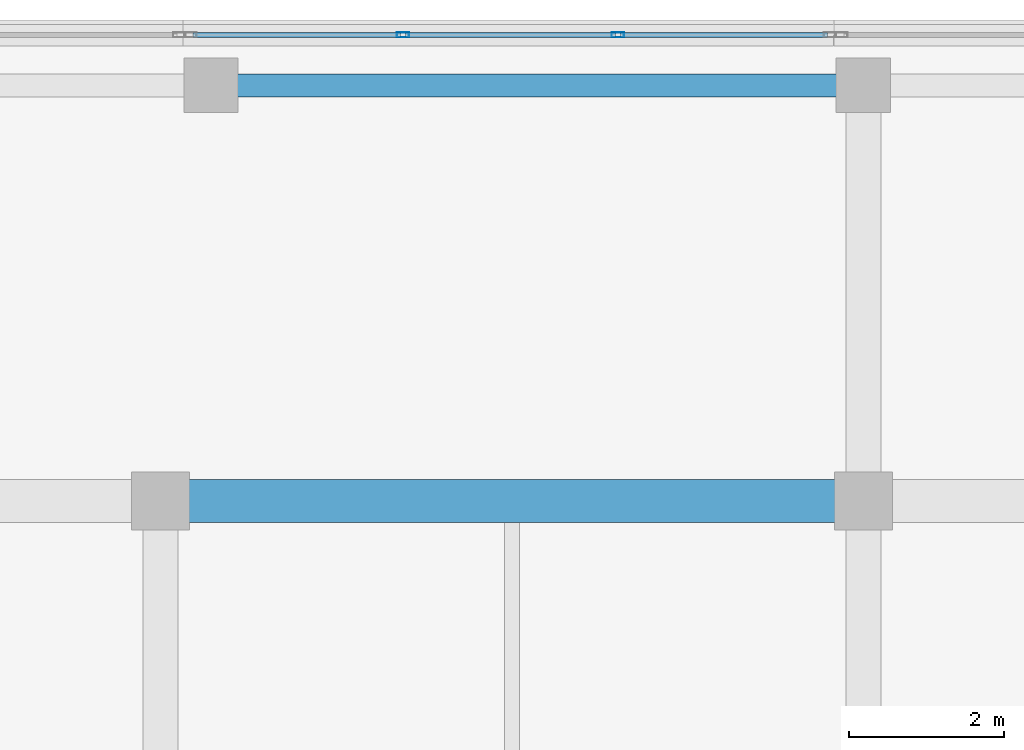
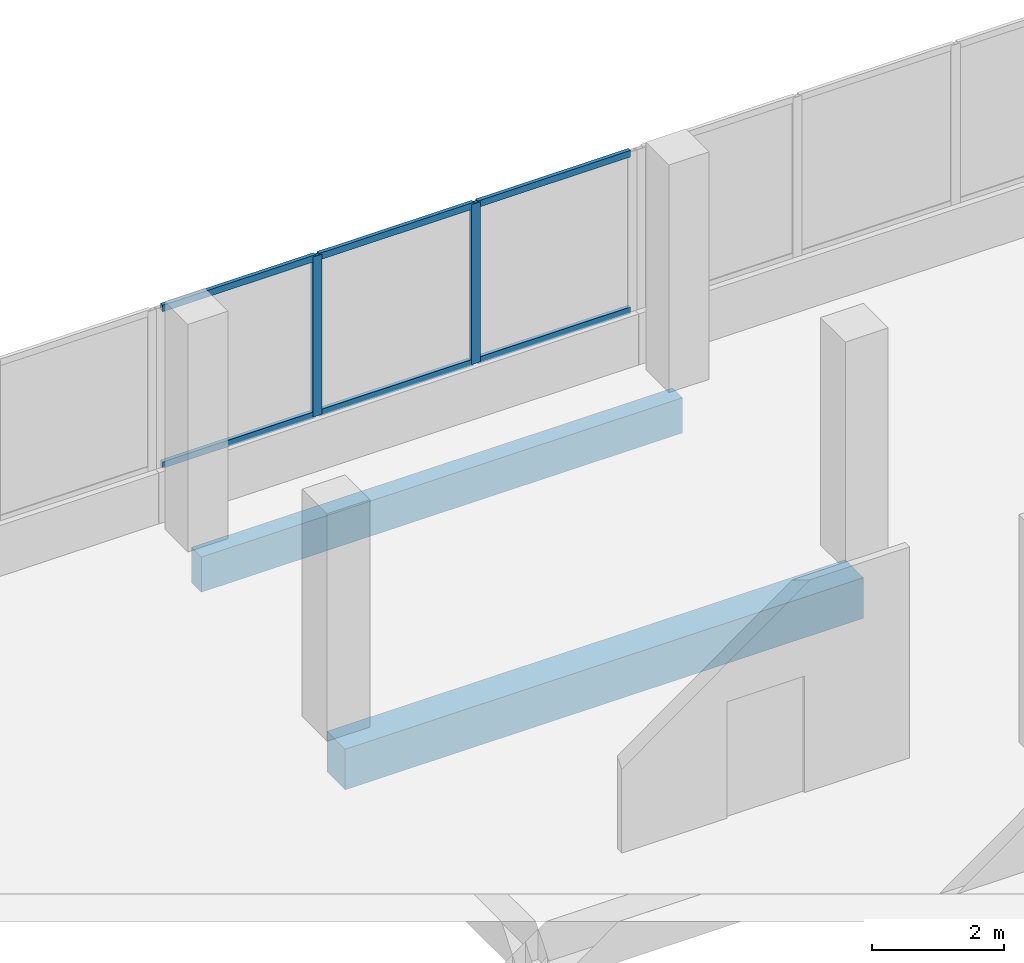
# One storey, part 140 of 184: 8 members, 2 beams, 1 element without a shape of its own.
"""IFC4 building model written with IfcOpenShell, lengths in metres."""

from ifc_helpers import new_model, si_unit, direction, frame, origin, origin_2d, place, context, subcontext, project, spatial, rectangle, hollow_rectangle, extrude, material, material_profile, profile_set, type_object, element, aggregate, save


model = new_model("IFC4")

# Units and contexts
model_context = context("Model", 3, precision=1e-05, world=origin(), true_north=direction((0.0, 1.0)))
body_context = subcontext(model_context, "Body", "Model", "MODEL_VIEW")
ifc_project = project(units=[si_unit("LENGTHUNIT", "METRE"), si_unit("AREAUNIT", "SQUARE_METRE"), si_unit("VOLUMEUNIT", "CUBIC_METRE"), si_unit("PLANEANGLEUNIT", "RADIAN"), si_unit("MASSUNIT", "GRAM", prefix="KILO")], contexts=[model_context])

# Site, building, storey
site_placement = place(None, origin())
site = spatial("IfcSite", under=ifc_project, at=site_placement, CompositionType="ELEMENT")
building_placement = place(site_placement, origin())
building = spatial("IfcBuilding", under=site, at=building_placement, Name="Selatvlak General Hospital", CompositionType="ELEMENT")
storey_placement = place(building_placement, frame((0.0, 0.0, 15.0)))
storey = spatial("IfcBuildingStorey", under=building, at=storey_placement, Name="L03", CompositionType="ELEMENT", Elevation=15.0)

# Beams
ifc_material_1 = material(Name="Concrete C40/50", Category="concrete")
ifc_material_profile_1 = material_profile(ifc_material_1, rectangle(XDim=0.550048828125, YDim=0.75, at=origin_2d()), Name="RC-BM 550x750")
ifc_profile_set_1 = profile_set([ifc_material_profile_1], Name="Concrete C40/50")
beam_type_1 = type_object("IfcBeamType", Name="BM-G02", PredefinedType="BEAM", material=ifc_profile_set_1)
beam_1_placement = place(storey_placement, frame((164.949951171875, 114.0, -0.715087890625), z_axis=(1.0, 0.0, 0.0), x_axis=(0.0, 1.0, 0.0)))
element("IfcBeam", 1, at=beam_1_placement, inside=storey, type_object=beam_type_1, Name="Beam BMR-L03-1273", PredefinedType="BEAM", context=body_context, shape_type="SweptSolid", body=[
    extrude(rectangle(XDim=0.550048828125, YDim=0.75, at=origin_2d()), origin(), (0.0, 0.0, 1.0), 9.050048828125),
])
ifc_material_profile_2 = material_profile(ifc_material_1, rectangle(XDim=0.300048828125, YDim=0.64990234375, at=origin_2d()), Name="RC-SP 300x650")
ifc_profile_set_2 = profile_set([ifc_material_profile_2], Name="Concrete C40/50")
beam_type_2 = type_object("IfcBeamType", Name="BM-SP1", PredefinedType="SPANDREL", material=ifc_profile_set_2)
beam_2_placement = place(storey_placement, frame((165.60009765625, 119.35009765625, -0.6650390625), z_axis=(1.0, 0.0, 0.0), x_axis=(0.0, 1.0, 0.0)))
element("IfcBeam", 2, at=beam_2_placement, inside=storey, type_object=beam_type_2, Name="Beam BMR-L03-1289", PredefinedType="SPANDREL", context=body_context, shape_type="SweptSolid", body=[
    extrude(rectangle(XDim=0.300048828125, YDim=0.64990234375, at=origin_2d()), origin(), (0.0, 0.0, 1.0), 8.39990234375),
])

# Curtain wall, members
ifc_material_2 = material(Name="Solar-control Low-E double glazing", Category="glass")
curtain_wall_type = type_object("IfcCurtainWallType", Name="CW-CW-01", PredefinedType="USERDEFINED", material=ifc_material_2)
curtain_wall_placement = place(storey_placement, origin())
curtain_wall = element("IfcCurtainWall", 3, at=curtain_wall_placement, inside=storey, type_object=curtain_wall_type, Name="Glazed facade curtain wall CW-L03-0382", ObjectType="UNITISED CURTAIN WALL", PredefinedType="USERDEFINED")
ifc_material_3 = material(Name="Dark anodised aluminium mullion", Category="aluminium")
ifc_material_profile_3 = material_profile(ifc_material_3, hollow_rectangle(XDim=0.06494140625, YDim=0.159912109375, WallThickness=0.00390625, at=origin_2d()), Name="AL-MUL 65x160x4")
ifc_profile_set_3 = profile_set([ifc_material_profile_3], Name="Dark anodised aluminium mullion")
member_type_1 = type_object("IfcMemberType", Name="CWM-01", PredefinedType="MULLION", material=ifc_profile_set_3)
member_1_placement = place(storey_placement, frame((168.070556640625, 120.0, 0.93994140625), z_axis=(0.0, 0.0, 1.0), x_axis=(0.0, 1.0, 0.0)))
member_1 = element("IfcMember", 4, at=member_1_placement, type_object=member_type_1, Name="CW-01 mullion 2", PredefinedType="MULLION", context=body_context, shape_type="SweptSolid", body=[
    extrude(hollow_rectangle(XDim=0.06494140625, YDim=0.159912109375, WallThickness=0.00390625, at=origin_2d()), origin(), (0.0, 0.0, 1.0), 2.955078125),
])
member_2_placement = place(storey_placement, frame((170.83740234375, 120.0, 0.93994140625), z_axis=(0.0, 0.0, 1.0), x_axis=(0.0, 1.0, 0.0)))
member_2 = element("IfcMember", 5, at=member_2_placement, type_object=member_type_1, Name="CW-01 mullion 3", PredefinedType="MULLION", context=body_context, shape_type="SweptSolid", body=[
    extrude(hollow_rectangle(XDim=0.06494140625, YDim=0.159912109375, WallThickness=0.00390625, at=origin_2d()), origin(), (0.0, 0.0, 1.0), 2.955078125),
])
ifc_material_profile_4 = material_profile(ifc_material_3, hollow_rectangle(XDim=0.06494140625, YDim=0.1201171875, WallThickness=0.00390625, at=origin_2d()), Name="AL-TRN 65x120x4")
ifc_profile_set_4 = profile_set([ifc_material_profile_4], Name="Dark anodised aluminium mullion")
member_type_2 = type_object("IfcMemberType", Name="CWT-01", PredefinedType="USERDEFINED", material=ifc_profile_set_4)
member_3_placement = place(storey_placement, frame((165.368896484375, 120.0, 0.972412109375), z_axis=(1.0, 0.0, 0.0), x_axis=(0.0, 1.0, 0.0)))
member_3 = element("IfcMember", 6, at=member_3_placement, type_object=member_type_2, Name="CW-01 transom 1.1", ObjectType="TRANSOM", PredefinedType="USERDEFINED", context=body_context, shape_type="SweptSolid", body=[
    extrude(hollow_rectangle(XDim=0.06494140625, YDim=0.1201171875, WallThickness=0.00390625, at=origin_2d()), origin(), (0.0, 0.0, 1.0), 2.669189453125),
])
member_4_placement = place(storey_placement, frame((165.368896484375, 120.0, 3.862548828125), z_axis=(1.0, 0.0, 0.0), x_axis=(0.0, 1.0, 0.0)))
member_4 = element("IfcMember", 7, at=member_4_placement, type_object=member_type_2, Name="CW-01 transom 1.2", ObjectType="TRANSOM", PredefinedType="USERDEFINED", context=body_context, shape_type="SweptSolid", body=[
    extrude(hollow_rectangle(XDim=0.06494140625, YDim=0.1201171875, WallThickness=0.00390625, at=origin_2d()), origin(), (0.0, 0.0, 1.0), 2.669189453125),
])
member_5_placement = place(storey_placement, frame((168.103271484375, 120.0, 0.972412109375), z_axis=(1.0, 0.0, 0.0), x_axis=(0.0, 1.0, 0.0)))
member_5 = element("IfcMember", 8, at=member_5_placement, type_object=member_type_2, Name="CW-01 transom 2.1", ObjectType="TRANSOM", PredefinedType="USERDEFINED", context=body_context, shape_type="SweptSolid", body=[
    extrude(hollow_rectangle(XDim=0.06494140625, YDim=0.1201171875, WallThickness=0.00390625, at=origin_2d()), origin(), (0.0, 0.0, 1.0), 2.70166015625),
])
member_6_placement = place(storey_placement, frame((168.103271484375, 120.0, 3.862548828125), z_axis=(1.0, 0.0, 0.0), x_axis=(0.0, 1.0, 0.0)))
member_6 = element("IfcMember", 9, at=member_6_placement, type_object=member_type_2, Name="CW-01 transom 2.2", ObjectType="TRANSOM", PredefinedType="USERDEFINED", context=body_context, shape_type="SweptSolid", body=[
    extrude(hollow_rectangle(XDim=0.06494140625, YDim=0.1201171875, WallThickness=0.00390625, at=origin_2d()), origin(), (0.0, 0.0, 1.0), 2.70166015625),
])
member_7_placement = place(storey_placement, frame((170.869873046875, 120.0, 0.972412109375), z_axis=(1.0, 0.0, 0.0), x_axis=(0.0, 1.0, 0.0)))
member_7 = element("IfcMember", 10, at=member_7_placement, type_object=member_type_2, Name="CW-01 transom 3.1", ObjectType="TRANSOM", PredefinedType="USERDEFINED", context=body_context, shape_type="SweptSolid", body=[
    extrude(hollow_rectangle(XDim=0.06494140625, YDim=0.1201171875, WallThickness=0.00390625, at=origin_2d()), origin(), (0.0, 0.0, 1.0), 2.669189453125),
])
member_8_placement = place(storey_placement, frame((170.869873046875, 120.0, 3.862548828125), z_axis=(1.0, 0.0, 0.0), x_axis=(0.0, 1.0, 0.0)))
member_8 = element("IfcMember", 11, at=member_8_placement, type_object=member_type_2, Name="CW-01 transom 3.2", ObjectType="TRANSOM", PredefinedType="USERDEFINED", context=body_context, shape_type="SweptSolid", body=[
    extrude(hollow_rectangle(XDim=0.06494140625, YDim=0.1201171875, WallThickness=0.00390625, at=origin_2d()), origin(), (0.0, 0.0, 1.0), 2.669189453125),
])
aggregate(curtain_wall, [member_1, member_2, member_3, member_4, member_5, member_6, member_7, member_8])

save(model, "model.ifc")
